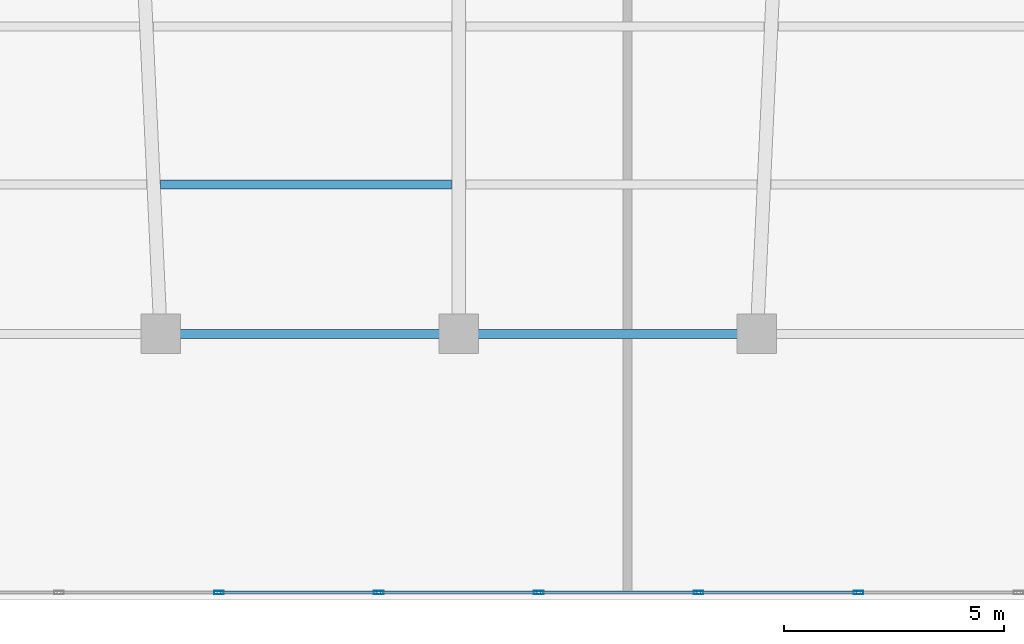
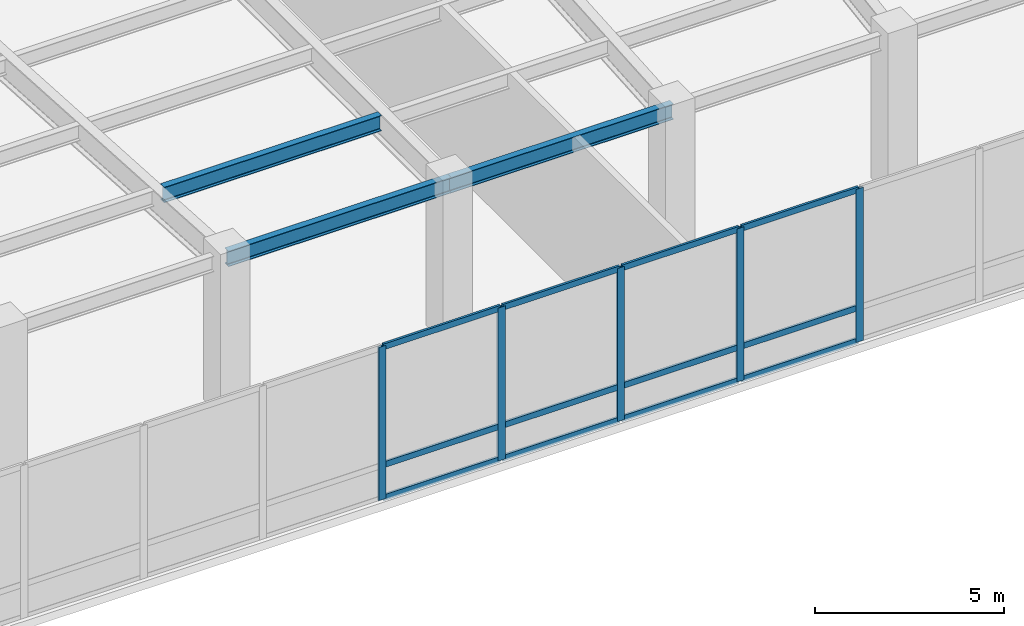
# One storey, part 6 of 19: 17 members, 3 beams, 1 element without a shape of its own.
"""IFC4 building model written with IfcOpenShell, lengths in metres."""

from ifc_helpers import new_model, si_unit, direction, frame, origin, origin_2d, place, context, subcontext, project, spatial, hollow_rectangle, i_section, extrude, material, material_profile, profile_set, type_object, element, aggregate, save


model = new_model("IFC4")

# Units and contexts
model_context = context("Model", 3, precision=1e-05, world=origin(), true_north=direction((0.0, 1.0)))
body_context = subcontext(model_context, "Body", "Model", "MODEL_VIEW")
ifc_project = project(units=[si_unit("LENGTHUNIT", "METRE"), si_unit("AREAUNIT", "SQUARE_METRE"), si_unit("VOLUMEUNIT", "CUBIC_METRE"), si_unit("PLANEANGLEUNIT", "RADIAN"), si_unit("MASSUNIT", "GRAM", prefix="KILO")], contexts=[model_context])

# Site, building, storey
site_placement = place(None, origin())
site = spatial("IfcSite", under=ifc_project, at=site_placement, CompositionType="ELEMENT")
building_placement = place(site_placement, origin())
building = spatial("IfcBuilding", under=site, at=building_placement, Name="Yelkora Congress Tower", CompositionType="ELEMENT")
storey_placement = place(building_placement, frame((0.0, 0.0, 5.199951171875)))
storey = spatial("IfcBuildingStorey", under=building, at=storey_placement, Name="L01", CompositionType="ELEMENT", Elevation=5.199951171875)

# Beams
ifc_material_1 = material(Name="Steel S355J2", Category="steel")
ifc_material_profile_1 = material_profile(ifc_material_1, i_section(OverallWidth=0.199951171875, OverallDepth=0.5, WebThickness=0.01025390625, FlangeThickness=0.01611328125, FilletRadius=0.02099609375, at=origin_2d()), Name="IPE 500")
ifc_profile_set_1 = profile_set([ifc_material_profile_1], Name="Steel S355J2")
beam_type_1 = type_object("IfcBeamType", Name="BM-JOIST-IPE500", PredefinedType="JOIST", material=ifc_profile_set_1)
beam_1_placement = place(storey_placement, frame((31.612060546875, 9.449951171875, 4.68994140625), z_axis=(1.0, 0.0, 0.0), x_axis=(0.0, 1.0, 0.0)))
element("IfcBeam", 1, at=beam_1_placement, inside=storey, type_object=beam_type_1, Name="L01 Composite Floor Joist 5", PredefinedType="JOIST", context=body_context, shape_type="SweptSolid", body=[
    extrude(i_section(OverallWidth=0.199951171875, OverallDepth=0.5, WebThickness=0.01025390625, FlangeThickness=0.01611328125, FilletRadius=0.02099609375, at=origin_2d()), origin(), (0.0, 0.0, 1.0), 6.6279296875),
])
ifc_material_profile_2 = material_profile(ifc_material_1, i_section(OverallWidth=0.199951171875, OverallDepth=0.5, WebThickness=0.01025390625, FlangeThickness=0.01611328125, FilletRadius=0.02099609375, at=origin_2d()), Name="IPE 500")
ifc_profile_set_2 = profile_set([ifc_material_profile_2], Name="Steel S355J2")
beam_type_2 = type_object("IfcBeamType", Name="BM-SPAN-IPE500B", PredefinedType="BEAM", material=ifc_profile_set_2)
beam_2_placement = place(storey_placement, frame((31.610107421875, 6.050048828125, 4.68994140625), z_axis=(1.0, 0.0, 0.0), x_axis=(0.0, 1.0, 0.0)))
element("IfcBeam", 2, at=beam_2_placement, inside=storey, type_object=beam_type_2, Name="L01 Perimeter Beam 6", PredefinedType="BEAM", context=body_context, shape_type="SweptSolid", body=[
    extrude(i_section(OverallWidth=0.199951171875, OverallDepth=0.5, WebThickness=0.01025390625, FlangeThickness=0.01611328125, FilletRadius=0.02099609375, at=origin_2d()), origin(), (0.0, 0.0, 1.0), 6.789794921875),
])
beam_3_placement = place(storey_placement, frame((38.39990234375, 6.050048828125, 4.68994140625), z_axis=(1.0, 0.0, 0.0), x_axis=(0.0, 1.0, 0.0)))
element("IfcBeam", 3, at=beam_3_placement, inside=storey, type_object=beam_type_2, Name="L01 Perimeter Beam 7", PredefinedType="BEAM", context=body_context, shape_type="SweptSolid", body=[
    extrude(i_section(OverallWidth=0.199951171875, OverallDepth=0.5, WebThickness=0.01025390625, FlangeThickness=0.01611328125, FilletRadius=0.02099609375, at=origin_2d()), origin(), (0.0, 0.0, 1.0), 6.7900390625),
])

# Curtain wall, members
ifc_material_2 = material(Name="Anodised aluminium and insulated glass", Category="aluminium")
curtain_wall_type = type_object("IfcCurtainWallType", Name="CW-SYS-POD", PredefinedType="NOTDEFINED", material=ifc_material_2)
curtain_wall_placement = place(storey_placement, origin())
curtain_wall = element("IfcCurtainWall", 4, at=curtain_wall_placement, inside=storey, type_object=curtain_wall_type, Name="L01 Podium South Curtain Wall", PredefinedType="NOTDEFINED")
ifc_material_3 = material(Name="Anodised aluminium 6063-T6", Category="aluminium")
ifc_material_profile_3 = material_profile(ifc_material_3, hollow_rectangle(XDim=0.074951171875, YDim=0.219970703125, WallThickness=0.0048828125, at=origin_2d()), Name="ALU 75x220x5")
ifc_profile_set_3 = profile_set([ifc_material_profile_3], Name="Anodised aluminium 6063-T6")
member_type_1 = type_object("IfcMemberType", Name="MEM-ML-POD", PredefinedType="MULLION", material=ifc_profile_set_3)
member_1_placement = place(storey_placement, frame((47.5048828125, 0.159912109375, 0.0), z_axis=(0.0, 0.0, 1.0), x_axis=(0.0, -1.0, 0.0)))
member_1 = element("IfcMember", 5, at=member_1_placement, type_object=member_type_1, Name="CW-POD mullion 9", PredefinedType="MULLION", context=body_context, shape_type="SweptSolid", body=[
    extrude(hollow_rectangle(XDim=0.074951171875, YDim=0.219970703125, WallThickness=0.0048828125, at=origin_2d()), origin(), (0.0, 0.0, 1.0), 4.93994140625),
])
member_2_placement = place(storey_placement, frame((43.86279296875, 0.159912109375, 0.0), z_axis=(0.0, 0.0, 1.0), x_axis=(0.0, -1.0, 0.0)))
member_2 = element("IfcMember", 6, at=member_2_placement, type_object=member_type_1, Name="CW-POD mullion 10", PredefinedType="MULLION", context=body_context, shape_type="SweptSolid", body=[
    extrude(hollow_rectangle(XDim=0.074951171875, YDim=0.219970703125, WallThickness=0.0048828125, at=origin_2d()), origin(), (0.0, 0.0, 1.0), 4.93994140625),
])
member_3_placement = place(storey_placement, frame((40.220947265625, 0.159912109375, 0.0), z_axis=(0.0, 0.0, 1.0), x_axis=(0.0, -1.0, 0.0)))
member_3 = element("IfcMember", 7, at=member_3_placement, type_object=member_type_1, Name="CW-POD mullion 11", PredefinedType="MULLION", context=body_context, shape_type="SweptSolid", body=[
    extrude(hollow_rectangle(XDim=0.074951171875, YDim=0.219970703125, WallThickness=0.0048828125, at=origin_2d()), origin(), (0.0, 0.0, 1.0), 4.93994140625),
])
member_4_placement = place(storey_placement, frame((36.5791015625, 0.159912109375, 0.0), z_axis=(0.0, 0.0, 1.0), x_axis=(0.0, -1.0, 0.0)))
member_4 = element("IfcMember", 8, at=member_4_placement, type_object=member_type_1, Name="CW-POD mullion 12", PredefinedType="MULLION", context=body_context, shape_type="SweptSolid", body=[
    extrude(hollow_rectangle(XDim=0.074951171875, YDim=0.219970703125, WallThickness=0.0048828125, at=origin_2d()), origin(), (0.0, 0.0, 1.0), 4.93994140625),
])
member_5_placement = place(storey_placement, frame((32.937255859375, 0.159912109375, 0.0), z_axis=(0.0, 0.0, 1.0), x_axis=(0.0, -1.0, 0.0)))
member_5 = element("IfcMember", 9, at=member_5_placement, type_object=member_type_1, Name="CW-POD mullion 13", PredefinedType="MULLION", context=body_context, shape_type="SweptSolid", body=[
    extrude(hollow_rectangle(XDim=0.074951171875, YDim=0.219970703125, WallThickness=0.0048828125, at=origin_2d()), origin(), (0.0, 0.0, 1.0), 4.93994140625),
])
ifc_material_profile_4 = material_profile(ifc_material_3, hollow_rectangle(XDim=0.070068359375, YDim=0.18994140625, WallThickness=0.00390625, at=origin_2d()), Name="ALU 70x190x4")
ifc_profile_set_4 = profile_set([ifc_material_profile_4], Name="Anodised aluminium 6063-T6")
member_type_2 = type_object("IfcMemberType", Name="MEM-TR-POD", PredefinedType="USERDEFINED", material=ifc_profile_set_4)
member_6_placement = place(storey_placement, frame((47.46728515625, 0.159912109375, 0.03515625), z_axis=(-1.0, 0.0, 0.0), x_axis=(0.0, -1.0, 0.0)))
member_6 = element("IfcMember", 10, at=member_6_placement, type_object=member_type_2, Name="CW-POD transom 9.1", ObjectType="TRANSOM", PredefinedType="USERDEFINED", context=body_context, shape_type="SweptSolid", body=[
    extrude(hollow_rectangle(XDim=0.070068359375, YDim=0.18994140625, WallThickness=0.00390625, at=origin_2d()), origin(), (0.0, 0.0, 1.0), 3.56689453125),
])
member_7_placement = place(storey_placement, frame((47.46728515625, 0.159912109375, 1.10009765625), z_axis=(-1.0, 0.0, 0.0), x_axis=(0.0, -1.0, 0.0)))
member_7 = element("IfcMember", 11, at=member_7_placement, type_object=member_type_2, Name="CW-POD transom 9.2", ObjectType="TRANSOM", PredefinedType="USERDEFINED", context=body_context, shape_type="SweptSolid", body=[
    extrude(hollow_rectangle(XDim=0.070068359375, YDim=0.18994140625, WallThickness=0.00390625, at=origin_2d()), origin(), (0.0, 0.0, 1.0), 3.56689453125),
])
member_8_placement = place(storey_placement, frame((47.46728515625, 0.159912109375, 4.905029296875), z_axis=(-1.0, 0.0, 0.0), x_axis=(0.0, -1.0, 0.0)))
member_8 = element("IfcMember", 12, at=member_8_placement, type_object=member_type_2, Name="CW-POD transom 9.3", ObjectType="TRANSOM", PredefinedType="USERDEFINED", context=body_context, shape_type="SweptSolid", body=[
    extrude(hollow_rectangle(XDim=0.070068359375, YDim=0.18994140625, WallThickness=0.00390625, at=origin_2d()), origin(), (0.0, 0.0, 1.0), 3.56689453125),
])
member_9_placement = place(storey_placement, frame((43.825439453125, 0.159912109375, 0.03515625), z_axis=(-1.0, 0.0, 0.0), x_axis=(0.0, -1.0, 0.0)))
member_9 = element("IfcMember", 13, at=member_9_placement, type_object=member_type_2, Name="CW-POD transom 10.1", ObjectType="TRANSOM", PredefinedType="USERDEFINED", context=body_context, shape_type="SweptSolid", body=[
    extrude(hollow_rectangle(XDim=0.070068359375, YDim=0.18994140625, WallThickness=0.00390625, at=origin_2d()), origin(), (0.0, 0.0, 1.0), 3.56689453125),
])
member_10_placement = place(storey_placement, frame((43.825439453125, 0.159912109375, 1.10009765625), z_axis=(-1.0, 0.0, 0.0), x_axis=(0.0, -1.0, 0.0)))
member_10 = element("IfcMember", 14, at=member_10_placement, type_object=member_type_2, Name="CW-POD transom 10.2", ObjectType="TRANSOM", PredefinedType="USERDEFINED", context=body_context, shape_type="SweptSolid", body=[
    extrude(hollow_rectangle(XDim=0.070068359375, YDim=0.18994140625, WallThickness=0.00390625, at=origin_2d()), origin(), (0.0, 0.0, 1.0), 3.56689453125),
])
member_11_placement = place(storey_placement, frame((43.825439453125, 0.159912109375, 4.905029296875), z_axis=(-1.0, 0.0, 0.0), x_axis=(0.0, -1.0, 0.0)))
member_11 = element("IfcMember", 15, at=member_11_placement, type_object=member_type_2, Name="CW-POD transom 10.3", ObjectType="TRANSOM", PredefinedType="USERDEFINED", context=body_context, shape_type="SweptSolid", body=[
    extrude(hollow_rectangle(XDim=0.070068359375, YDim=0.18994140625, WallThickness=0.00390625, at=origin_2d()), origin(), (0.0, 0.0, 1.0), 3.56689453125),
])
member_12_placement = place(storey_placement, frame((40.183349609375, 0.159912109375, 0.03515625), z_axis=(-1.0, 0.0, 0.0), x_axis=(0.0, -1.0, 0.0)))
member_12 = element("IfcMember", 16, at=member_12_placement, type_object=member_type_2, Name="CW-POD transom 11.1", ObjectType="TRANSOM", PredefinedType="USERDEFINED", context=body_context, shape_type="SweptSolid", body=[
    extrude(hollow_rectangle(XDim=0.070068359375, YDim=0.18994140625, WallThickness=0.00390625, at=origin_2d()), origin(), (0.0, 0.0, 1.0), 3.56689453125),
])
member_13_placement = place(storey_placement, frame((40.183349609375, 0.159912109375, 1.10009765625), z_axis=(-1.0, 0.0, 0.0), x_axis=(0.0, -1.0, 0.0)))
member_13 = element("IfcMember", 17, at=member_13_placement, type_object=member_type_2, Name="CW-POD transom 11.2", ObjectType="TRANSOM", PredefinedType="USERDEFINED", context=body_context, shape_type="SweptSolid", body=[
    extrude(hollow_rectangle(XDim=0.070068359375, YDim=0.18994140625, WallThickness=0.00390625, at=origin_2d()), origin(), (0.0, 0.0, 1.0), 3.56689453125),
])
member_14_placement = place(storey_placement, frame((40.183349609375, 0.159912109375, 4.905029296875), z_axis=(-1.0, 0.0, 0.0), x_axis=(0.0, -1.0, 0.0)))
member_14 = element("IfcMember", 18, at=member_14_placement, type_object=member_type_2, Name="CW-POD transom 11.3", ObjectType="TRANSOM", PredefinedType="USERDEFINED", context=body_context, shape_type="SweptSolid", body=[
    extrude(hollow_rectangle(XDim=0.070068359375, YDim=0.18994140625, WallThickness=0.00390625, at=origin_2d()), origin(), (0.0, 0.0, 1.0), 3.56689453125),
])
member_15_placement = place(storey_placement, frame((36.54150390625, 0.159912109375, 0.03515625), z_axis=(-1.0, 0.0, 0.0), x_axis=(0.0, -1.0, 0.0)))
member_15 = element("IfcMember", 19, at=member_15_placement, type_object=member_type_2, Name="CW-POD transom 12.1", ObjectType="TRANSOM", PredefinedType="USERDEFINED", context=body_context, shape_type="SweptSolid", body=[
    extrude(hollow_rectangle(XDim=0.070068359375, YDim=0.18994140625, WallThickness=0.00390625, at=origin_2d()), origin(), (0.0, 0.0, 1.0), 3.56689453125),
])
member_16_placement = place(storey_placement, frame((36.54150390625, 0.159912109375, 1.10009765625), z_axis=(-1.0, 0.0, 0.0), x_axis=(0.0, -1.0, 0.0)))
member_16 = element("IfcMember", 20, at=member_16_placement, type_object=member_type_2, Name="CW-POD transom 12.2", ObjectType="TRANSOM", PredefinedType="USERDEFINED", context=body_context, shape_type="SweptSolid", body=[
    extrude(hollow_rectangle(XDim=0.070068359375, YDim=0.18994140625, WallThickness=0.00390625, at=origin_2d()), origin(), (0.0, 0.0, 1.0), 3.56689453125),
])
member_17_placement = place(storey_placement, frame((36.54150390625, 0.159912109375, 4.905029296875), z_axis=(-1.0, 0.0, 0.0), x_axis=(0.0, -1.0, 0.0)))
member_17 = element("IfcMember", 21, at=member_17_placement, type_object=member_type_2, Name="CW-POD transom 12.3", ObjectType="TRANSOM", PredefinedType="USERDEFINED", context=body_context, shape_type="SweptSolid", body=[
    extrude(hollow_rectangle(XDim=0.070068359375, YDim=0.18994140625, WallThickness=0.00390625, at=origin_2d()), origin(), (0.0, 0.0, 1.0), 3.56689453125),
])
aggregate(curtain_wall, [member_1, member_2, member_3, member_4, member_5, member_6, member_7, member_8, member_9, member_10, member_11, member_12, member_13, member_14, member_15, member_16, member_17])

save(model, "model.ifc")
